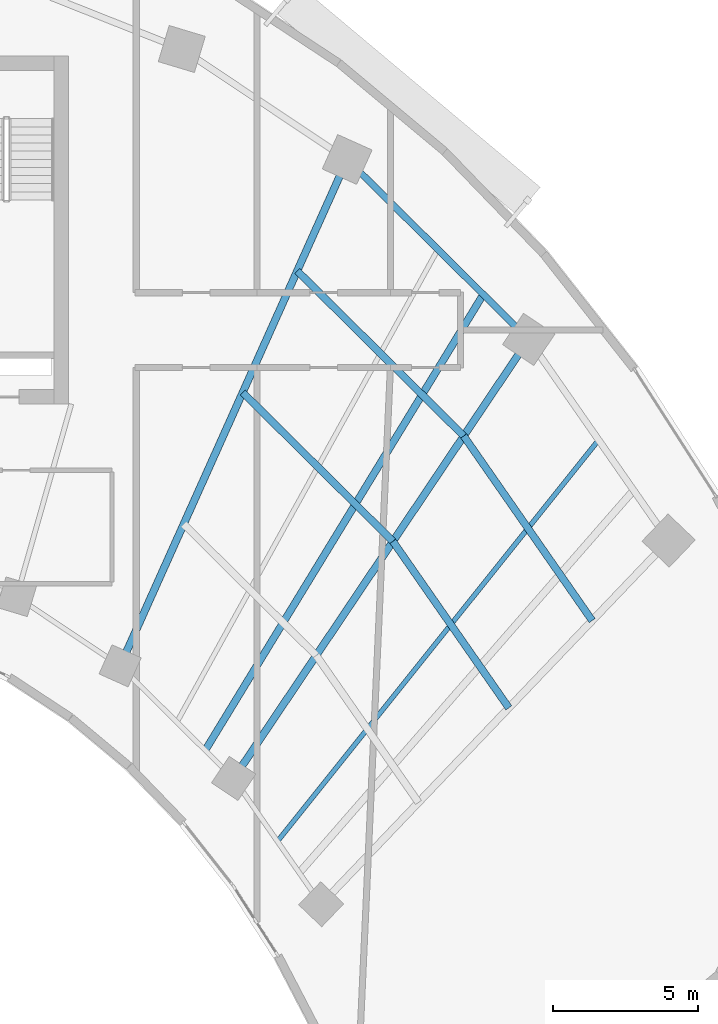
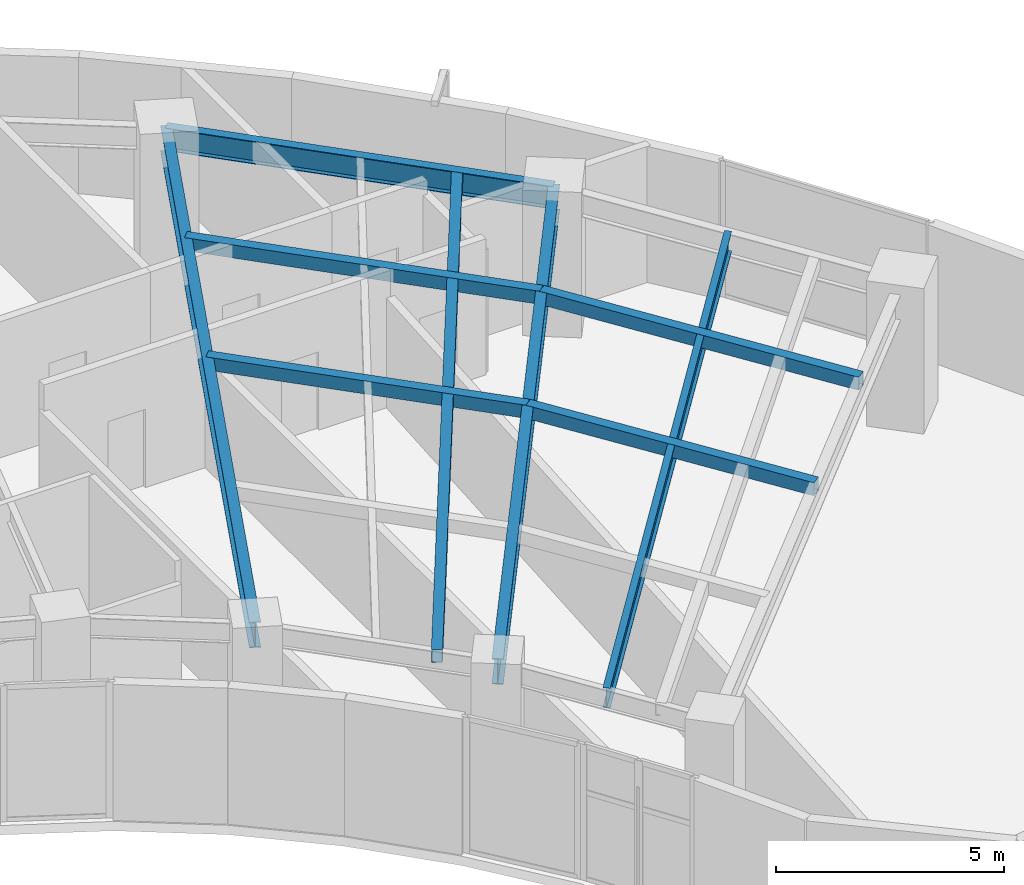
# One storey, part 4 of 14: 9 beams.
"""IFC4 building model written with IfcOpenShell, lengths in metres."""

from ifc_helpers import new_model, si_unit, direction, frame, origin, origin_2d, place, context, subcontext, project, spatial, hollow_rectangle, i_section, extrude, source, transform, mapped, material, material_profile, profile_set, type_object, element, save


model = new_model("IFC4")

# Units and contexts
model_context = context("Model", 3, precision=1e-05, world=origin(), true_north=direction((0.0, 1.0)))
body_context = subcontext(model_context, "Body", "Model", "MODEL_VIEW")
ifc_project = project(units=[si_unit("LENGTHUNIT", "METRE"), si_unit("AREAUNIT", "SQUARE_METRE"), si_unit("VOLUMEUNIT", "CUBIC_METRE"), si_unit("PLANEANGLEUNIT", "RADIAN"), si_unit("MASSUNIT", "GRAM", prefix="KILO")], contexts=[model_context])

# Site, building, storey
site_placement = place(None, origin())
site = spatial("IfcSite", under=ifc_project, at=site_placement, CompositionType="ELEMENT")
building_placement = place(site_placement, origin())
building = spatial("IfcBuilding", under=site, at=building_placement, Name="Breltana Convention Tower", CompositionType="ELEMENT")
storey_placement = place(building_placement, frame((0.0, 0.0, 131.10009765625)))
storey = spatial("IfcBuildingStorey", under=building, at=storey_placement, Name="L31", CompositionType="ELEMENT", Elevation=131.10009765625)

# Beams
ifc_material = material(Name="Steel ASTM A992 Grade 50", Category="steel")
ifc_material_profile_1 = material_profile(ifc_material, i_section(OverallWidth=0.25390625, OverallDepth=0.68798828125, WebThickness=0.01318359375, FlangeThickness=0.02099609375, at=origin_2d()), Name="W27X102")
ifc_profile_set_1 = profile_set([ifc_material_profile_1], Name="Steel ASTM A992 Grade 50")
beam_type_1 = type_object("IfcBeamType", Name="BM-RG-W27X102", PredefinedType="USERDEFINED", material=ifc_profile_set_1)
shared_shape_1 = source(origin(), body_context, "Body", "SweptSolid", [
    extrude(i_section(OverallWidth=0.25390625, OverallDepth=0.68798828125, WebThickness=0.01318359375, FlangeThickness=0.02099609375, at=origin_2d()), origin(), (0.0, 0.0, 1.0), 19.133544921875),
])
beam_1_placement = place(storey_placement, frame((61.08203125, 51.174560546875, 3.305908203125), z_axis=(0.409144564164, 0.912469575172, 0.0), x_axis=(-0.912469575172, 0.409144564164, 0.0)))
element("IfcBeam", 1, at=beam_1_placement, inside=storey, type_object=beam_type_1, Name="L31 Radial Floor Girder R09", ObjectType="GIRDER", PredefinedType="USERDEFINED", context=body_context, shape_type="MappedRepresentation", body=[
    mapped(shared_shape_1, transform((0.0, 0.0, 0.0), scale=1.0)),
])
shared_shape_2 = source(origin(), body_context, "Body", "SweptSolid", [
    extrude(i_section(OverallWidth=0.25390625, OverallDepth=0.68798828125, WebThickness=0.01318359375, FlangeThickness=0.02099609375, at=origin_2d()), origin(), (0.0, 0.0, 1.0), 18.236328125),
])
beam_2_placement = place(storey_placement, frame((64.995849609375, 47.293701171875, 3.305908203125), z_axis=(0.557730360975, 0.830022195153, 0.0), x_axis=(-0.830022195153, 0.557730360975, 0.0)))
element("IfcBeam", 2, at=beam_2_placement, inside=storey, type_object=beam_type_1, Name="L31 Radial Floor Girder R10", ObjectType="GIRDER", PredefinedType="USERDEFINED", context=body_context, shape_type="MappedRepresentation", body=[
    mapped(shared_shape_2, transform((0.0, 0.0, 0.0), scale=1.0)),
])
ifc_material_profile_2 = material_profile(ifc_material, i_section(OverallWidth=0.22802734375, OverallDepth=0.60791015625, WebThickness=0.01123046875, FlangeThickness=0.017333984375, at=origin_2d()), Name="W24X76")
ifc_profile_set_2 = profile_set([ifc_material_profile_2], Name="Steel ASTM A992 Grade 50")
beam_type_2 = type_object("IfcBeamType", Name="BM-SP-W24X76", PredefinedType="SPANDREL", material=ifc_profile_set_2)
shared_shape_3 = source(origin(), body_context, "Body", "SweptSolid", [
    extrude(i_section(OverallWidth=0.22802734375, OverallDepth=0.60791015625, WebThickness=0.01123046875, FlangeThickness=0.017333984375, at=origin_2d()), origin(), (0.0, 0.0, 1.0), 8.810302734375),
])
beam_3_placement = place(storey_placement, frame((68.910400390625, 68.63330078125, 3.345947265625), z_axis=(0.710120823582, -0.704079836322, 0.0), x_axis=(0.704079836322, 0.710120823582, 0.0)))
element("IfcBeam", 3, at=beam_3_placement, inside=storey, type_object=beam_type_2, Name="L31 Outer Spandrel Beam 09", PredefinedType="SPANDREL", context=body_context, shape_type="MappedRepresentation", body=[
    mapped(shared_shape_3, transform((0.0, 0.0, 0.0), scale=1.0)),
])
ifc_material_profile_3 = material_profile(ifc_material, hollow_rectangle(XDim=0.25, YDim=0.35009765625, WallThickness=0.011962890625, at=origin_2d()), Name="RHS350X250X12")
ifc_profile_set_3 = profile_set([ifc_material_profile_3], Name="Steel ASTM A992 Grade 50")
beam_type_3 = type_object("IfcBeamType", Name="BM-JSG-12", PredefinedType="JOIST", material=ifc_profile_set_3)
shared_shape_4 = source(origin(), body_context, "Body", "SweptSolid", [
    extrude(hollow_rectangle(XDim=0.25, YDim=0.35009765625, WallThickness=0.011962890625, at=origin_2d()), origin(), (0.0, 0.0, 1.0), 7.29296875),
])
beam_4_placement = place(storey_placement, frame((65.309326171875, 60.602294921875, 3.474853515625), z_axis=(0.710096551013, -0.704104316305, 0.0), x_axis=(0.704104316305, 0.710096551013, 0.0)))
element("IfcBeam", 4, at=beam_4_placement, inside=storey, type_object=beam_type_3, Name="L31 Composite Floor Joist 09.2", PredefinedType="JOIST", context=body_context, shape_type="MappedRepresentation", body=[
    mapped(shared_shape_4, transform((0.0, 0.0, 0.0), scale=1.0)),
])
shared_shape_5 = source(origin(), body_context, "Body", "SweptSolid", [
    extrude(hollow_rectangle(XDim=0.25, YDim=0.35009765625, WallThickness=0.011962890625, at=origin_2d()), origin(), (0.0, 0.0, 1.0), 8.084716796875),
])
beam_5_placement = place(storey_placement, frame((67.188232421875, 64.79248046875, 3.474853515625), z_axis=(0.710105094548, -0.704095699956, 0.0), x_axis=(0.704095699956, 0.710105094548, 0.0)))
element("IfcBeam", 5, at=beam_5_placement, inside=storey, type_object=beam_type_3, Name="L31 Composite Floor Joist 09.3", PredefinedType="JOIST", context=body_context, shape_type="MappedRepresentation", body=[
    mapped(shared_shape_5, transform((0.0, 0.0, 0.0), scale=1.0)),
])
shared_shape_6 = source(origin(), body_context, "Body", "SweptSolid", [
    extrude(hollow_rectangle(XDim=0.25, YDim=0.35009765625, WallThickness=0.011962890625, at=origin_2d()), origin(), (0.0, 0.0, 1.0), 18.409423828125),
])
beam_6_placement = place(storey_placement, frame((64.017333984375, 48.263916015625, 3.474853515625), z_axis=(0.520682167606, 0.853750596098, 0.0), x_axis=(-0.853750596098, 0.520682167606, 0.0)))
element("IfcBeam", 6, at=beam_6_placement, inside=storey, type_object=beam_type_3, Name="L31 Quarter-Bay Radial Trimmer 09", PredefinedType="JOIST", context=body_context, shape_type="MappedRepresentation", body=[
    mapped(shared_shape_6, transform((0.0, 0.0, 0.0), scale=1.0)),
])
shared_shape_7 = source(origin(), body_context, "Body", "SweptSolid", [
    extrude(hollow_rectangle(XDim=0.25, YDim=0.35009765625, WallThickness=0.011962890625, at=origin_2d()), origin(), (0.0, 0.0, 1.0), 6.99462890625),
])
beam_7_placement = place(storey_placement, frame((70.488037109375, 55.46728515625, 3.474853515625), z_axis=(0.571206630732, -0.820806301759, 0.0), x_axis=(0.820806301759, 0.571206630732, 0.0)))
element("IfcBeam", 7, at=beam_7_placement, inside=storey, type_object=beam_type_3, Name="L31 Composite Floor Joist 10.2", PredefinedType="JOIST", context=body_context, shape_type="MappedRepresentation", body=[
    mapped(shared_shape_7, transform((0.0, 0.0, 0.0), scale=1.0)),
])
shared_shape_8 = source(origin(), body_context, "Body", "SweptSolid", [
    extrude(hollow_rectangle(XDim=0.25, YDim=0.35009765625, WallThickness=0.011962890625, at=origin_2d()), origin(), (0.0, 0.0, 1.0), 7.75390625),
])
beam_8_placement = place(storey_placement, frame((72.92919921875, 59.10009765625, 3.474853515625), z_axis=(0.57119271264, -0.820815987312, 0.0), x_axis=(0.820815987312, 0.57119271264, 0.0)))
element("IfcBeam", 8, at=beam_8_placement, inside=storey, type_object=beam_type_3, Name="L31 Composite Floor Joist 10.3", PredefinedType="JOIST", context=body_context, shape_type="MappedRepresentation", body=[
    mapped(shared_shape_8, transform((0.0, 0.0, 0.0), scale=1.0)),
])
ifc_material_profile_4 = material_profile(ifc_material, i_section(OverallWidth=0.166015625, OverallDepth=0.534912109375, WebThickness=0.01025390625, FlangeThickness=0.0166015625, at=origin_2d()), Name="W21X57")
ifc_profile_set_4 = profile_set([ifc_material_profile_4], Name="Steel ASTM A992 Grade 50")
beam_type_4 = type_object("IfcBeamType", Name="BM-JSG-05", PredefinedType="JOIST", material=ifc_profile_set_4)
shared_shape_9 = source(origin(), body_context, "Body", "SweptSolid", [
    extrude(i_section(OverallWidth=0.166015625, OverallDepth=0.534912109375, WebThickness=0.01025390625, FlangeThickness=0.0166015625, at=origin_2d()), origin(), (0.0, 0.0, 1.0), 17.7236328125),
])
beam_9_placement = place(storey_placement, frame((66.505615234375, 45.124267578125, 3.38232421875), z_axis=(0.624829427563, 0.78076128647, 0.0), x_axis=(-0.78076128647, 0.624829427563, 0.0)))
element("IfcBeam", 9, at=beam_9_placement, inside=storey, type_object=beam_type_4, Name="L31 Mid-Bay Radial Trimmer 10", PredefinedType="JOIST", context=body_context, shape_type="MappedRepresentation", body=[
    mapped(shared_shape_9, transform((0.0, 0.0, 0.0), scale=1.0)),
])

save(model, "model.ifc")
